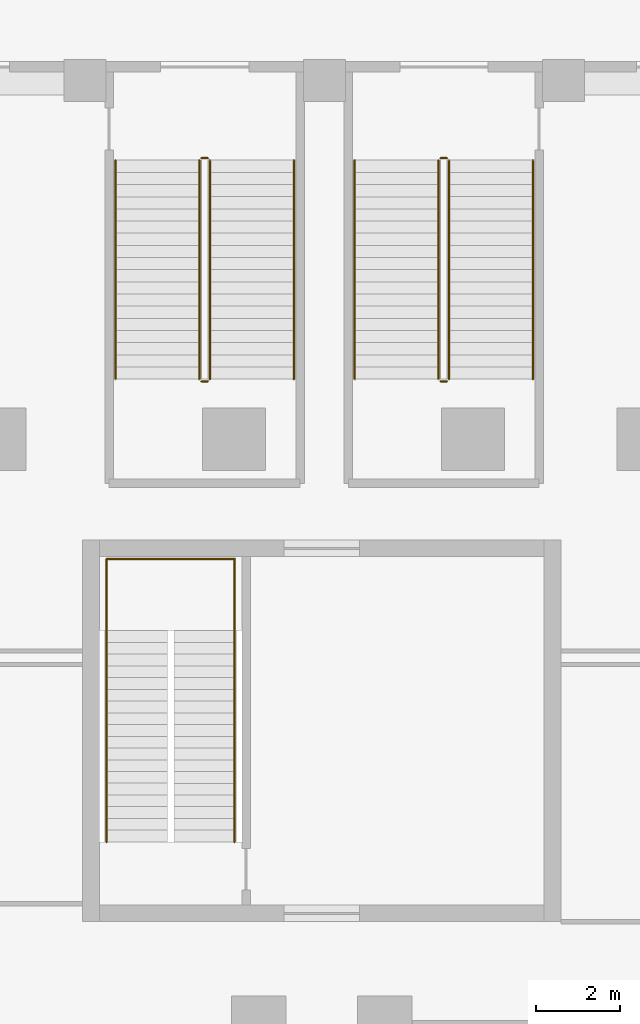
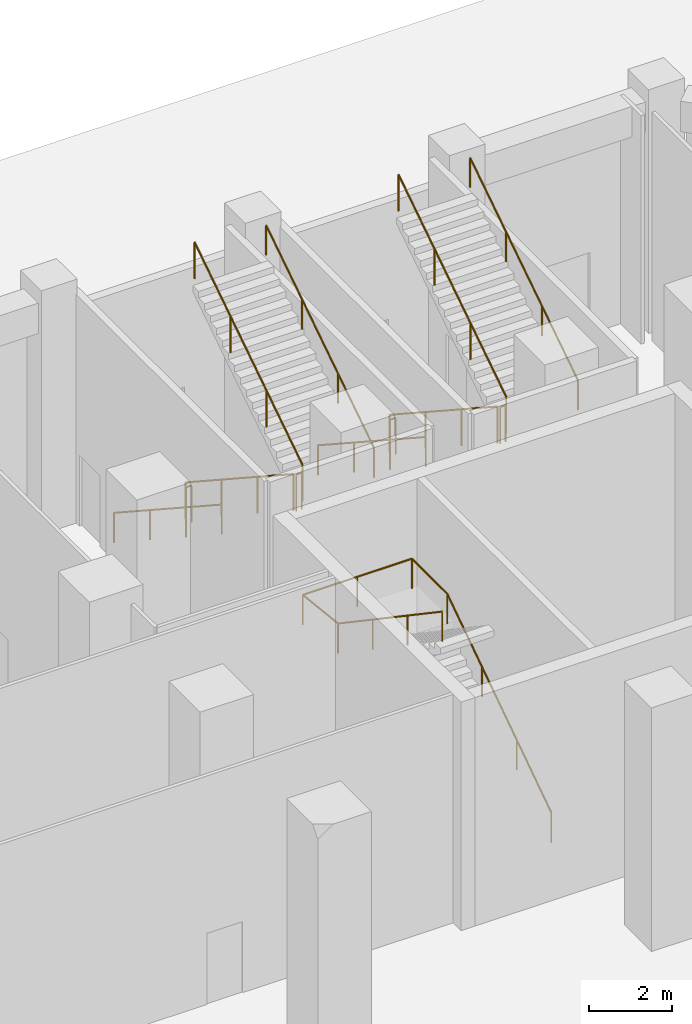
# One storey, part 26 of 27: 13 railings.
"""IFC4 building model written with IfcOpenShell, lengths in metres."""

import ifcopenshell
import ifcopenshell.guid

model = None  # the IFC model being written
_history = None  # IfcOwnerHistory: only IFC2X3 demands one
_inside = {}  # id of a spatial element -> (the spatial element, [elements in it])
_under = {}  # id of a project, library or spatial element -> (it, [spatial elements below it])
_declared = {}  # id of a project -> (the project, [libraries it declares])
_typed = {}  # id of a type object -> (the type object, [elements of that type])
_made_of = {}  # id of a material, layer set ... -> (it, [elements and type objects made of it])


def new_model(schema):
    """Start an empty IFC model of exactly this schema.

    Asked for "IFC4X3", IfcOpenShell would pick the latest addendum, in which some entities
    have other attributes; the version numbers below select the first issue.
    IFC2X3 requires an IfcOwnerHistory on every rooted entity: one is made here for all.
    """
    global model, _history
    if schema == "IFC4X3":
        model = ifcopenshell.file(schema_version=(4, 3, 0, 0))
    else:
        model = ifcopenshell.file(schema=schema)
    _inside.clear()
    _under.clear()
    _declared.clear()
    _typed.clear()
    _made_of.clear()
    _history = None
    if model.schema == "IFC2X3":
        org = make("IfcOrganization", Name="unknown")
        user = make(
            "IfcPersonAndOrganization",
            ThePerson=make("IfcPerson", FamilyName="unknown"),
            TheOrganization=org,
        )
        app = make(
            "IfcApplication",
            ApplicationDeveloper=org,
            Version="unknown",
            ApplicationFullName="unknown",
            ApplicationIdentifier="unknown",
        )
        _history = make(
            "IfcOwnerHistory",
            OwningUser=user,
            OwningApplication=app,
            ChangeAction="ADDED",
            CreationDate=0,
        )
    return model


def make(cls, **values):
    """One entity of the class cls with the attributes given. An attribute that is None is left unset."""
    return model.create_entity(
        cls, **{name: value for name, value in values.items() if value is not None}
    )


def rooted(cls, **values):
    """An entity with a GlobalId (a new one), such as an element, a storey or a relation."""
    return make(cls, GlobalId=ifcopenshell.guid.new(), OwnerHistory=_history, **values)


def si_unit(unit_type, name, prefix=None):
    """IfcSIUnit, for example si_unit("LENGTHUNIT", "METRE", prefix="MILLI")."""
    return make("IfcSIUnit", UnitType=unit_type, Prefix=prefix, Name=name)


def assignment(units):
    """IfcUnitAssignment: the units of a project."""
    return None if units is None else make("IfcUnitAssignment", Units=units)


def point(xyz):
    """IfcCartesianPoint."""
    return None if xyz is None else make("IfcCartesianPoint", Coordinates=xyz)


def direction(xyz):
    """IfcDirection."""
    return None if xyz is None else make("IfcDirection", DirectionRatios=xyz)


def frame(location, z_axis=None, x_axis=None):
    """IfcAxis2Placement3D, a coordinate frame: its origin and axes. An axis left out is left unset."""
    return make(
        "IfcAxis2Placement3D",
        Location=point(location),
        Axis=direction(z_axis),
        RefDirection=direction(x_axis),
    )


def frame_2d(location, x_axis=None):
    """IfcAxis2Placement2D, a coordinate frame in the plane: its origin and x axis."""
    return make(
        "IfcAxis2Placement2D", Location=point(location), RefDirection=direction(x_axis)
    )


def origin():
    """The frame at (0, 0, 0) with its axes left unset."""
    return frame((0.0, 0.0, 0.0))


def origin_2d():
    """The frame at (0, 0) in the plane with its x axis left unset."""
    return frame_2d((0.0, 0.0))


def place(relative_to, where):
    """IfcLocalPlacement: puts the frame where relative to a parent placement (None: the world)."""
    return make(
        "IfcLocalPlacement", PlacementRelTo=relative_to, RelativePlacement=where
    )


def context(
    kind, dimensions, precision=None, world=None, true_north=None, identifier=None
):
    """IfcGeometricRepresentationContext, for example the 3D "Model" context."""
    return make(
        "IfcGeometricRepresentationContext",
        ContextIdentifier=identifier,
        ContextType=kind,
        CoordinateSpaceDimension=dimensions,
        Precision=precision,
        WorldCoordinateSystem=world,
        TrueNorth=true_north,
    )


def subcontext(parent, identifier, kind, view, scale=None):
    """IfcGeometricRepresentationSubContext, for example "Body" below "Model"."""
    return make(
        "IfcGeometricRepresentationSubContext",
        ContextIdentifier=identifier,
        ContextType=kind,
        ParentContext=parent,
        TargetScale=scale,
        TargetView=view,
    )


def project(units=None, contexts=None):
    """IfcProject with its units and contexts."""
    return rooted(
        "IfcProject",
        Name="project",
        RepresentationContexts=contexts,
        UnitsInContext=assignment(units),
    )


def spatial(cls, under=None, at=None, **own):
    """A site, building, storey or space (cls), placed at a placement, below another one or the project."""
    s = rooted(cls, ObjectPlacement=at, **own)
    if under is not None:
        _under.setdefault(under.id(), (under, []))[1].append(s)
    return s


def profile(cls, at=None, kind="AREA", **sizes):
    """A parametric profile (cls). Its sizes go by their IFC names, for example OverallWidth=200.0."""
    return make(cls, ProfileType=kind, Position=at, **sizes)


def circle(**sizes):
    """IfcCircleProfileDef."""
    return profile("IfcCircleProfileDef", **sizes)


def extrude(swept, where, along, depth):
    """IfcExtrudedAreaSolid: the profile swept, set in the frame where, extruded along a direction by depth."""
    return make(
        "IfcExtrudedAreaSolid",
        SweptArea=swept,
        Position=where,
        ExtrudedDirection=direction(along),
        Depth=depth,
    )


def shape(context_of_items, identifier, shape_type, items):
    """IfcShapeRepresentation: the items that make up one representation, for example the "Body"."""
    return make(
        "IfcShapeRepresentation",
        ContextOfItems=context_of_items,
        RepresentationIdentifier=identifier,
        RepresentationType=shape_type,
        Items=items,
    )


def material(Name=None, Category=None):
    """IfcMaterial."""
    return make("IfcMaterial", Name=Name, Category=Category)


def made_of(thing, what):
    """Note that an element or type object is made of a material, layer set ...; save() writes the relation."""
    if what is not None:
        _made_of.setdefault(what.id(), (what, []))[1].append(thing)
    return thing


def type_object(cls, material=None, **own):
    """A type object (cls), such as IfcWallType, which elements share."""
    return made_of(rooted(cls, **own), material)


def element(
    cls,
    number,
    at=None,
    inside=None,
    cuts=None,
    type_object=None,
    material=None,
    context=None,
    identifier="Body",
    shape_type=None,
    held_by="IfcProductDefinitionShape",
    body=None,
    shapes=None,
    **own,
):
    """One element of the class cls, such as IfcWall. Its Tag is "e" and its number.

    at: its placement. inside: the storey or other place that contains it. cuts: it is an
    opening in that element (IfcRelVoidsElement). A single representation is given by context,
    identifier, shape_type and body (its items); several are given by shapes. held_by: the class
    of the entity that holds the representations. save() writes the other relations.
    """
    e = rooted(cls, Tag="e%d" % number, ObjectPlacement=at, **own)
    if body is not None:
        shapes = [shape(context, identifier, shape_type, body)]
    if shapes is not None:
        e.Representation = make(held_by, Representations=shapes)
    if inside is not None:
        _inside.setdefault(inside.id(), (inside, []))[1].append(e)
    if cuts is not None:
        rooted(
            "IfcRelVoidsElement", RelatingBuildingElement=cuts, RelatedOpeningElement=e
        )
    if type_object is not None:
        _typed.setdefault(type_object.id(), (type_object, []))[1].append(e)
    return made_of(e, material)


def aggregate(whole, parts):
    """IfcRelAggregates: a whole, such as a stair, and the parts it consists of."""
    return rooted("IfcRelAggregates", RelatingObject=whole, RelatedObjects=parts)


def save(model, path):
    """Write the relations noted so far, then the file.

    IfcRelAggregates (storeys below a building ...), IfcRelContainedInSpatialStructure (elements
    in a storey), IfcRelDefinesByType, IfcRelAssociatesMaterial and IfcRelDeclares: one each for
    every whole, place, type object, material and project.
    """
    for whole, parts in _under.values():
        aggregate(whole, parts)
    for where, things in _inside.values():
        rooted(
            "IfcRelContainedInSpatialStructure",
            RelatedElements=things,
            RelatingStructure=where,
        )
    for kind, things in _typed.values():
        rooted("IfcRelDefinesByType", RelatedObjects=things, RelatingType=kind)
    for what, things in _made_of.values():
        rooted("IfcRelAssociatesMaterial", RelatedObjects=things, RelatingMaterial=what)
    for by, libraries in _declared.values():
        rooted("IfcRelDeclares", RelatingContext=by, RelatedDefinitions=libraries)
    model.write(path)


model = new_model("IFC4")

# Units and contexts
model_context = context("Model", 3, precision=1e-05, world=origin(), true_north=direction((0.0, 1.0)))
body_context = subcontext(model_context, "Body", "Model", "MODEL_VIEW")
ifc_project = project(units=[si_unit("LENGTHUNIT", "METRE"), si_unit("AREAUNIT", "SQUARE_METRE"), si_unit("VOLUMEUNIT", "CUBIC_METRE"), si_unit("PLANEANGLEUNIT", "RADIAN"), si_unit("MASSUNIT", "GRAM", prefix="KILO")], contexts=[model_context])

# Site, building, storey
site_placement = place(None, origin())
site = spatial("IfcSite", under=ifc_project, at=site_placement, CompositionType="ELEMENT")
building_placement = place(site_placement, origin())
building = spatial("IfcBuilding", under=site, at=building_placement, Name="Meshkara Civic Tower", CompositionType="ELEMENT")
storey_placement = place(building_placement, origin())
storey = spatial("IfcBuildingStorey", under=building, at=storey_placement, Name="L00", CompositionType="ELEMENT", Elevation=0.0)

# Railings
ifc_material_1 = material(Name="Steel guard", Category="steel")
railing_type_1 = type_object("IfcRailingType", Name="Podium stair guard 1100", PredefinedType="GUARDRAIL", material=ifc_material_1)
railing_1_placement = place(storey_placement, frame((8.485107421875, 89.419921875, 0.189453125)))
element("IfcRailing", 1, at=railing_1_placement, inside=storey, type_object=railing_type_1, Name="L00 PS1 stair guard 1", PredefinedType="GUARDRAIL", context=body_context, shape_type="SweptSolid", body=[
    extrude(circle(Radius=0.02392578125, at=origin_2d()), frame((0.0, 0.0, 1.076171875), z_axis=(0.0, -0.837146837253, 0.546978219747), x_axis=(1.0, 0.0, 0.0)), (0.0, 0.0, 1.0), 6.2353515625),
    extrude(circle(Radius=0.02099609375, at=origin_2d()), origin(), (0.0, 0.0, 1.0), 1.052001953125),
    extrude(circle(Radius=0.02099609375, at=origin_2d()), frame((0.0, -1.739990234375, 1.136962890625)), (0.0, 0.0, 1.0), 1.052001953125),
    extrude(circle(Radius=0.02099609375, at=origin_2d()), frame((0.0, -3.47998046875, 2.273681640625)), (0.0, 0.0, 1.0), 1.052001953125),
    extrude(circle(Radius=0.02099609375, at=origin_2d()), frame((0.0, -5.219970703125, 3.41064453125)), (0.0, 0.0, 1.0), 1.052001953125),
])
railing_2_placement = place(storey_placement, frame((8.534912109375, 84.14990234375, 3.60009765625)))
element("IfcRailing", 2, at=railing_2_placement, inside=storey, type_object=railing_type_1, Name="L00 PS1 stair guard 2", PredefinedType="GUARDRAIL", context=body_context, shape_type="SweptSolid", body=[
    extrude(circle(Radius=0.02392578125, at=origin_2d()), frame((0.0, 0.0, 1.076171875), z_axis=(1.0, 0.0, 0.0), x_axis=(0.0, 1.0, 0.0)), (0.0, 0.0, 1.0), 0.150146484375),
    extrude(circle(Radius=0.02099609375, at=origin_2d()), origin(), (0.0, 0.0, 1.0), 1.052001953125),
    extrude(circle(Radius=0.02099609375, at=origin_2d()), frame((0.150146484375, 0.0, 0.0)), (0.0, 0.0, 1.0), 1.052001953125),
])
railing_3_placement = place(storey_placement, frame((8.735107421875, 84.199951171875, 3.78955078125)))
element("IfcRailing", 3, at=railing_3_placement, inside=storey, type_object=railing_type_1, Name="L00 PS1 stair guard 3", PredefinedType="GUARDRAIL", context=body_context, shape_type="SweptSolid", body=[
    extrude(circle(Radius=0.02392578125, at=origin_2d()), frame((0.0, 0.0, 1.076171875), z_axis=(0.0, 0.837164765742, 0.546950779321), x_axis=(-1.0, 0.0, 0.0)), (0.0, 0.0, 1.0), 6.2353515625),
    extrude(circle(Radius=0.02099609375, at=origin_2d()), origin(), (0.0, 0.0, 1.0), 1.052001953125),
    extrude(circle(Radius=0.02099609375, at=origin_2d()), frame((0.0, 1.739990234375, 1.13671875)), (0.0, 0.0, 1.0), 1.052001953125),
    extrude(circle(Radius=0.02099609375, at=origin_2d()), frame((0.0, 3.47998046875, 2.273681640625)), (0.0, 0.0, 1.0), 1.052001953125),
    extrude(circle(Radius=0.02099609375, at=origin_2d()), frame((0.0, 5.219970703125, 3.410400390625)), (0.0, 0.0, 1.0), 1.052001953125),
])
railing_4_placement = place(storey_placement, frame((8.534912109375, 89.469970703125, 0.0)))
element("IfcRailing", 4, at=railing_4_placement, inside=storey, type_object=railing_type_1, Name="L00 PS1 stair guard 4", PredefinedType="GUARDRAIL", context=body_context, shape_type="SweptSolid", body=[
    extrude(circle(Radius=0.02392578125, at=origin_2d()), frame((0.0, 0.0, 1.076171875), z_axis=(1.0, 0.0, 0.0), x_axis=(0.0, 1.0, 0.0)), (0.0, 0.0, 1.0), 0.150146484375),
    extrude(circle(Radius=0.02099609375, at=origin_2d()), origin(), (0.0, 0.0, 1.0), 1.052001953125),
    extrude(circle(Radius=0.02099609375, at=origin_2d()), frame((0.150146484375, 0.0, 0.0)), (0.0, 0.0, 1.0), 1.052001953125),
])
railing_5_placement = place(storey_placement, frame((14.18505859375, 89.419921875, 0.189453125)))
element("IfcRailing", 5, at=railing_5_placement, inside=storey, type_object=railing_type_1, Name="L00 PS2 stair guard 1", PredefinedType="GUARDRAIL", context=body_context, shape_type="SweptSolid", body=[
    extrude(circle(Radius=0.02392578125, at=origin_2d()), frame((0.0, 0.0, 1.076171875), z_axis=(0.0, -0.837146837253, 0.546978219747), x_axis=(1.0, 0.0, 0.0)), (0.0, 0.0, 1.0), 6.2353515625),
    extrude(circle(Radius=0.02099609375, at=origin_2d()), origin(), (0.0, 0.0, 1.0), 1.052001953125),
    extrude(circle(Radius=0.02099609375, at=origin_2d()), frame((0.0, -1.739990234375, 1.136962890625)), (0.0, 0.0, 1.0), 1.052001953125),
    extrude(circle(Radius=0.02099609375, at=origin_2d()), frame((0.0, -3.47998046875, 2.273681640625)), (0.0, 0.0, 1.0), 1.052001953125),
    extrude(circle(Radius=0.02099609375, at=origin_2d()), frame((0.0, -5.219970703125, 3.41064453125)), (0.0, 0.0, 1.0), 1.052001953125),
])
railing_6_placement = place(storey_placement, frame((14.235107421875, 84.14990234375, 3.60009765625)))
element("IfcRailing", 6, at=railing_6_placement, inside=storey, type_object=railing_type_1, Name="L00 PS2 stair guard 2", PredefinedType="GUARDRAIL", context=body_context, shape_type="SweptSolid", body=[
    extrude(circle(Radius=0.02392578125, at=origin_2d()), frame((0.0, 0.0, 1.076171875), z_axis=(1.0, 0.0, 0.0), x_axis=(0.0, 1.0, 0.0)), (0.0, 0.0, 1.0), 0.14990234375),
    extrude(circle(Radius=0.02099609375, at=origin_2d()), origin(), (0.0, 0.0, 1.0), 1.052001953125),
    extrude(circle(Radius=0.02099609375, at=origin_2d()), frame((0.14990234375, 0.0, 0.0)), (0.0, 0.0, 1.0), 1.052001953125),
])
railing_7_placement = place(storey_placement, frame((14.43505859375, 84.199951171875, 3.78955078125)))
element("IfcRailing", 7, at=railing_7_placement, inside=storey, type_object=railing_type_1, Name="L00 PS2 stair guard 3", PredefinedType="GUARDRAIL", context=body_context, shape_type="SweptSolid", body=[
    extrude(circle(Radius=0.02392578125, at=origin_2d()), frame((0.0, 0.0, 1.076171875), z_axis=(0.0, 0.837164765742, 0.546950779321), x_axis=(-1.0, 0.0, 0.0)), (0.0, 0.0, 1.0), 6.2353515625),
    extrude(circle(Radius=0.02099609375, at=origin_2d()), origin(), (0.0, 0.0, 1.0), 1.052001953125),
    extrude(circle(Radius=0.02099609375, at=origin_2d()), frame((0.0, 1.739990234375, 1.13671875)), (0.0, 0.0, 1.0), 1.052001953125),
    extrude(circle(Radius=0.02099609375, at=origin_2d()), frame((0.0, 3.47998046875, 2.273681640625)), (0.0, 0.0, 1.0), 1.052001953125),
    extrude(circle(Radius=0.02099609375, at=origin_2d()), frame((0.0, 5.219970703125, 3.410400390625)), (0.0, 0.0, 1.0), 1.052001953125),
])
railing_8_placement = place(storey_placement, frame((14.235107421875, 89.469970703125, 0.0)))
element("IfcRailing", 8, at=railing_8_placement, inside=storey, type_object=railing_type_1, Name="L00 PS2 stair guard 4", PredefinedType="GUARDRAIL", context=body_context, shape_type="SweptSolid", body=[
    extrude(circle(Radius=0.02392578125, at=origin_2d()), frame((0.0, 0.0, 1.076171875), z_axis=(1.0, 0.0, 0.0), x_axis=(0.0, 1.0, 0.0)), (0.0, 0.0, 1.0), 0.14990234375),
    extrude(circle(Radius=0.02099609375, at=origin_2d()), origin(), (0.0, 0.0, 1.0), 1.052001953125),
    extrude(circle(Radius=0.02099609375, at=origin_2d()), frame((0.14990234375, 0.0, 0.0)), (0.0, 0.0, 1.0), 1.052001953125),
])
ifc_material_2 = material(Name="Steel handrail", Category="steel")
railing_type_2 = type_object("IfcRailingType", Name="Podium stair handrail 900", PredefinedType="HANDRAIL", material=ifc_material_2)
railing_9_placement = place(storey_placement, frame((6.485107421875, 89.419921875, 0.189453125)))
element("IfcRailing", 9, at=railing_9_placement, inside=storey, type_object=railing_type_2, Name="L00 PS1 stair handrail 1", PredefinedType="HANDRAIL", context=body_context, shape_type="SweptSolid", body=[
    extrude(circle(Radius=0.02392578125, at=origin_2d()), frame((0.0, 0.0, 0.8759765625), z_axis=(0.0, -0.837146837253, 0.546978219747), x_axis=(1.0, 0.0, 0.0)), (0.0, 0.0, 1.0), 6.2353515625),
    extrude(circle(Radius=0.02099609375, at=origin_2d()), origin(), (0.0, 0.0, 1.0), 0.851806640625),
    extrude(circle(Radius=0.02099609375, at=origin_2d()), frame((0.0, -1.739990234375, 1.136962890625)), (0.0, 0.0, 1.0), 0.851806640625),
    extrude(circle(Radius=0.02099609375, at=origin_2d()), frame((0.0, -3.47998046875, 2.273681640625)), (0.0, 0.0, 1.0), 0.851806640625),
    extrude(circle(Radius=0.02099609375, at=origin_2d()), frame((0.0, -5.219970703125, 3.41064453125)), (0.0, 0.0, 1.0), 0.851806640625),
])
railing_10_placement = place(storey_placement, frame((10.735107421875, 84.199951171875, 3.78955078125)))
element("IfcRailing", 10, at=railing_10_placement, inside=storey, type_object=railing_type_2, Name="L00 PS1 stair handrail 2", PredefinedType="HANDRAIL", context=body_context, shape_type="SweptSolid", body=[
    extrude(circle(Radius=0.02392578125, at=origin_2d()), frame((0.0, 0.0, 0.8759765625), z_axis=(0.0, 0.837164765742, 0.546950779321), x_axis=(-1.0, 0.0, 0.0)), (0.0, 0.0, 1.0), 6.2353515625),
    extrude(circle(Radius=0.02099609375, at=origin_2d()), origin(), (0.0, 0.0, 1.0), 0.851806640625),
    extrude(circle(Radius=0.02099609375, at=origin_2d()), frame((0.0, 1.739990234375, 1.13671875)), (0.0, 0.0, 1.0), 0.851806640625),
    extrude(circle(Radius=0.02099609375, at=origin_2d()), frame((0.0, 3.47998046875, 2.273681640625)), (0.0, 0.0, 1.0), 0.851806640625),
    extrude(circle(Radius=0.02099609375, at=origin_2d()), frame((0.0, 5.219970703125, 3.410400390625)), (0.0, 0.0, 1.0), 0.851806640625),
])
railing_11_placement = place(storey_placement, frame((12.18505859375, 89.419921875, 0.189453125)))
element("IfcRailing", 11, at=railing_11_placement, inside=storey, type_object=railing_type_2, Name="L00 PS2 stair handrail 1", PredefinedType="HANDRAIL", context=body_context, shape_type="SweptSolid", body=[
    extrude(circle(Radius=0.02392578125, at=origin_2d()), frame((0.0, 0.0, 0.8759765625), z_axis=(0.0, -0.837146837253, 0.546978219747), x_axis=(1.0, 0.0, 0.0)), (0.0, 0.0, 1.0), 6.2353515625),
    extrude(circle(Radius=0.02099609375, at=origin_2d()), origin(), (0.0, 0.0, 1.0), 0.851806640625),
    extrude(circle(Radius=0.02099609375, at=origin_2d()), frame((0.0, -1.739990234375, 1.136962890625)), (0.0, 0.0, 1.0), 0.851806640625),
    extrude(circle(Radius=0.02099609375, at=origin_2d()), frame((0.0, -3.47998046875, 2.273681640625)), (0.0, 0.0, 1.0), 0.851806640625),
    extrude(circle(Radius=0.02099609375, at=origin_2d()), frame((0.0, -5.219970703125, 3.41064453125)), (0.0, 0.0, 1.0), 0.851806640625),
])
railing_12_placement = place(storey_placement, frame((16.43505859375, 84.199951171875, 3.78955078125)))
element("IfcRailing", 12, at=railing_12_placement, inside=storey, type_object=railing_type_2, Name="L00 PS2 stair handrail 2", PredefinedType="HANDRAIL", context=body_context, shape_type="SweptSolid", body=[
    extrude(circle(Radius=0.02392578125, at=origin_2d()), frame((0.0, 0.0, 0.8759765625), z_axis=(0.0, 0.837164765742, 0.546950779321), x_axis=(-1.0, 0.0, 0.0)), (0.0, 0.0, 1.0), 6.2353515625),
    extrude(circle(Radius=0.02099609375, at=origin_2d()), origin(), (0.0, 0.0, 1.0), 0.851806640625),
    extrude(circle(Radius=0.02099609375, at=origin_2d()), frame((0.0, 1.739990234375, 1.13671875)), (0.0, 0.0, 1.0), 0.851806640625),
    extrude(circle(Radius=0.02099609375, at=origin_2d()), frame((0.0, 3.47998046875, 2.273681640625)), (0.0, 0.0, 1.0), 0.851806640625),
    extrude(circle(Radius=0.02099609375, at=origin_2d()), frame((0.0, 5.219970703125, 3.410400390625)), (0.0, 0.0, 1.0), 0.851806640625),
])
ifc_material_3 = material(Name="Steel handrail", Category="steel")
railing_type_3 = type_object("IfcRailingType", Name="Stair handrail 900", PredefinedType="HANDRAIL", material=ifc_material_3)
railing_13_placement = place(storey_placement, frame((9.324951171875, 73.169921875, 0.189453125)))
element("IfcRailing", 13, at=railing_13_placement, inside=storey, type_object=railing_type_3, Name="L00 ESA1 stair handrail 1", PredefinedType="HANDRAIL", context=body_context, shape_type="SweptSolid", body=[
    extrude(circle(Radius=0.02392578125, at=origin_2d()), frame((0.0, 0.0, 0.8759765625), z_axis=(0.0, 0.828191404875, 0.560445355847), x_axis=(-1.0, 0.0, 0.0)), (0.0, 0.0, 1.0), 6.085693359375),
    extrude(circle(Radius=0.02392578125, at=origin_2d()), frame((0.0, 5.0400390625, 4.28662109375), z_axis=(0.0, 1.0, 0.0), x_axis=(-1.0, 0.0, 0.0)), (0.0, 0.0, 1.0), 1.7099609375),
    extrude(circle(Radius=0.02392578125, at=origin_2d()), frame((0.0, 6.75, 4.28662109375), z_axis=(-1.0, 0.0, 0.0), x_axis=(0.0, -1.0, 0.0)), (0.0, 0.0, 1.0), 3.050048828125),
    extrude(circle(Radius=0.02392578125, at=origin_2d()), frame((-3.050048828125, 6.75, 4.28662109375), z_axis=(0.0, -0.993918297379, 0.110120016957), x_axis=(1.0, 0.0, 0.0)), (0.0, 0.0, 1.0), 1.720458984375),
    extrude(circle(Radius=0.02392578125, at=origin_2d()), frame((-3.050048828125, 5.0400390625, 4.47607421875), z_axis=(0.0, -0.828210025745, 0.560417838095), x_axis=(1.0, 0.0, 0.0)), (0.0, 0.0, 1.0), 6.08544921875),
    extrude(circle(Radius=0.02099609375, at=origin_2d()), origin(), (0.0, 0.0, 1.0), 0.851806640625),
    extrude(circle(Radius=0.02099609375, at=origin_2d()), frame((0.0, 1.679931640625, 1.136962890625)), (0.0, 0.0, 1.0), 0.851806640625),
    extrude(circle(Radius=0.02099609375, at=origin_2d()), frame((0.0, 3.360107421875, 2.273681640625)), (0.0, 0.0, 1.0), 0.851806640625),
    extrude(circle(Radius=0.02099609375, at=origin_2d()), frame((0.0, 5.0400390625, 3.41064453125)), (0.0, 0.0, 1.0), 0.851806640625),
    extrude(circle(Radius=0.02099609375, at=origin_2d()), frame((0.0, 6.75, 3.41064453125)), (0.0, 0.0, 1.0), 0.851806640625),
    extrude(circle(Radius=0.02099609375, at=origin_2d()), frame((-1.52490234375, 6.75, 3.41064453125)), (0.0, 0.0, 1.0), 0.851806640625),
    extrude(circle(Radius=0.02099609375, at=origin_2d()), frame((-3.050048828125, 6.75, 3.41064453125)), (0.0, 0.0, 1.0), 0.851806640625),
    extrude(circle(Radius=0.02099609375, at=origin_2d()), frame((-3.050048828125, 5.0400390625, 3.60009765625)), (0.0, 0.0, 1.0), 0.851806640625),
    extrude(circle(Radius=0.02099609375, at=origin_2d()), frame((-3.050048828125, 3.360107421875, 4.73681640625)), (0.0, 0.0, 1.0), 0.851806640625),
    extrude(circle(Radius=0.02099609375, at=origin_2d()), frame((-3.050048828125, 1.679931640625, 5.873779296875)), (0.0, 0.0, 1.0), 0.851806640625),
    extrude(circle(Radius=0.02099609375, at=origin_2d()), frame((-3.050048828125, 0.0, 7.010498046875)), (0.0, 0.0, 1.0), 0.851806640625),
])

save(model, "model.ifc")
